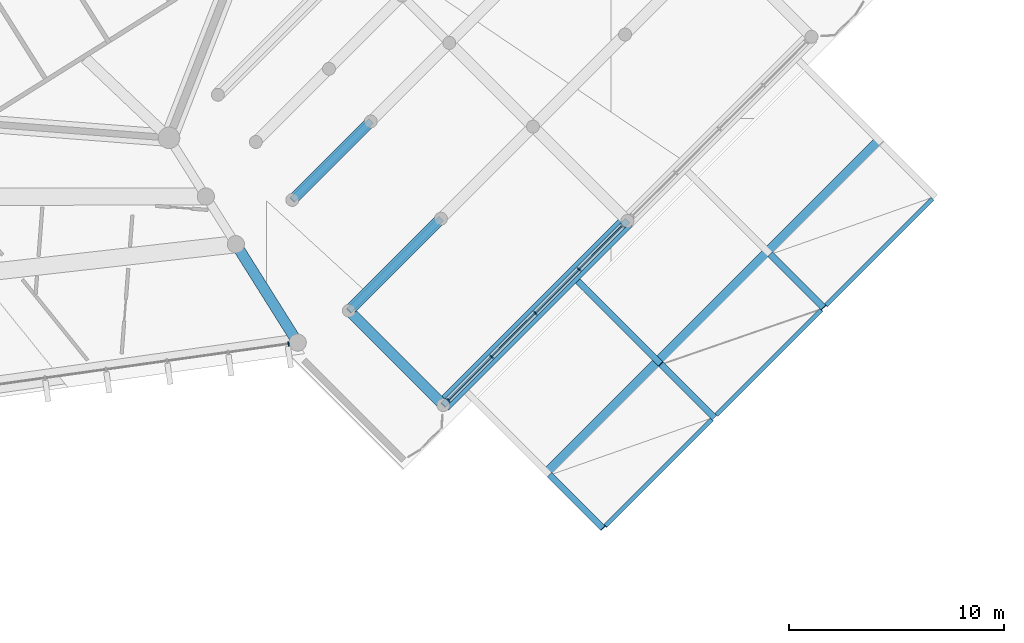
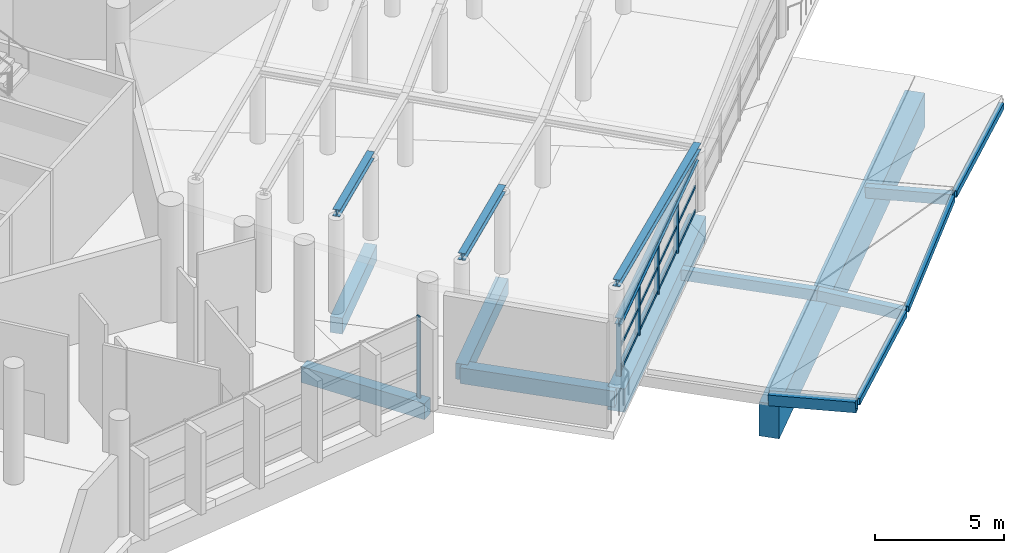
# One storey, part 50 of 271: 17 beams, 17 members, 2 elements without a shape of their own.
"""IFC4 building model written with IfcOpenShell, lengths in metres."""

from ifc_helpers import new_model, si_unit, direction, frame, origin, origin_2d, place, context, subcontext, project, spatial, rectangle, hollow_rectangle, i_section, extrude, material, layer, layer_set, material_profile, profile_set, type_object, element, aggregate, save


model = new_model("IFC4")

# Units and contexts
model_context = context("Model", 3, precision=1e-05, world=origin(), true_north=direction((0.0, 1.0)))
body_context = subcontext(model_context, "Body", "Model", "MODEL_VIEW")
ifc_project = project(units=[si_unit("LENGTHUNIT", "METRE"), si_unit("AREAUNIT", "SQUARE_METRE"), si_unit("VOLUMEUNIT", "CUBIC_METRE"), si_unit("PLANEANGLEUNIT", "RADIAN"), si_unit("MASSUNIT", "GRAM", prefix="KILO")], contexts=[model_context])

# Site, building, storey
site_placement = place(None, origin())
site = spatial("IfcSite", under=ifc_project, at=site_placement, CompositionType="ELEMENT")
building_placement = place(site_placement, origin())
building = spatial("IfcBuilding", under=site, at=building_placement, Name="Meseta Stadium", CompositionType="ELEMENT")
storey_placement = place(building_placement, frame((0.0, 0.0, 6.5)))
storey = spatial("IfcBuildingStorey", under=building, at=storey_placement, Name="L01", CompositionType="ELEMENT", Elevation=6.5)

# Beams
ifc_material_1 = material(Name="Steel S355", Category="steel")
ifc_material_profile_1 = material_profile(ifc_material_1, hollow_rectangle(XDim=0.199951171875, YDim=0.300048828125, WallThickness=0.01611328125, at=origin_2d()), Name="RHS 300x200x16")
ifc_profile_set_1 = profile_set([ifc_material_profile_1], Name="Steel S355")
beam_type_1 = type_object("IfcBeamType", Name="Canopy edge beam RHS 300x200x16", PredefinedType="BEAM", material=ifc_profile_set_1)
beam_1_placement = place(storey_placement, frame((95.7451171875, -114.94775390625, -0.220947265625), z_axis=(0.704714062045, 0.704748823257, -0.08189741677), x_axis=(-0.70712422016, 0.707089341783, 0.0)))
element("IfcBeam", 1, at=beam_1_placement, inside=storey, type_object=beam_type_1, Name="Canopy edge beam", PredefinedType="BEAM", context=body_context, shape_type="SweptSolid", body=[
    extrude(hollow_rectangle(XDim=0.199951171875, YDim=0.300048828125, WallThickness=0.01611328125, at=origin_2d()), origin(), (0.0, 0.0, 1.0), 7.0234375),
])
beam_2_placement = place(storey_placement, frame((100.90673828125, -109.785888671875, -0.78759765625), z_axis=(0.704662725635, 0.704662725635, 0.083071572759), x_axis=(-0.707106781187, 0.707106781187, 0.0)))
element("IfcBeam", 2, at=beam_2_placement, inside=storey, type_object=beam_type_1, Name="Canopy edge beam", PredefinedType="BEAM", context=body_context, shape_type="SweptSolid", body=[
    extrude(hollow_rectangle(XDim=0.199951171875, YDim=0.300048828125, WallThickness=0.01611328125, at=origin_2d()), origin(), (0.0, 0.0, 1.0), 6.924072265625),
])
beam_3_placement = place(storey_placement, frame((105.998046875, -104.694580078125, -0.220947265625), z_axis=(0.704748823257, 0.704714062045, -0.08189741677), x_axis=(-0.707089341783, 0.70712422016, 0.0)))
element("IfcBeam", 3, at=beam_3_placement, inside=storey, type_object=beam_type_1, Name="Canopy edge beam", PredefinedType="BEAM", context=body_context, shape_type="SweptSolid", body=[
    extrude(hollow_rectangle(XDim=0.199951171875, YDim=0.300048828125, WallThickness=0.01611328125, at=origin_2d()), origin(), (0.0, 0.0, 1.0), 7.0234375),
])
ifc_material_2 = material(Name="Steel S355", Category="steel")
ifc_material_profile_2 = material_profile(ifc_material_2, hollow_rectangle(XDim=0.300048828125, YDim=0.5, WallThickness=0.01611328125, at=origin_2d()), Name="RHS 500x300x16")
ifc_profile_set_2 = profile_set([ifc_material_profile_2], Name="Steel S355")
beam_type_2 = type_object("IfcBeamType", Name="Canopy girder RHS 500x300x16", PredefinedType="BEAM", material=ifc_profile_set_2)
beam_4_placement = place(storey_placement, frame((93.1640625, -112.5791015625, -0.60009765625), z_axis=(0.7047620729, -0.704692549168, 0.081968480216), x_axis=(0.707071901089, 0.707141659564, 0.0)))
element("IfcBeam", 4, at=beam_4_placement, inside=storey, type_object=beam_type_2, Name="Canopy girder cantilever", PredefinedType="BEAM", context=body_context, shape_type="SweptSolid", body=[
    extrude(hollow_rectangle(XDim=0.300048828125, YDim=0.5, WallThickness=0.01611328125, at=origin_2d()), origin(), (0.0, 0.0, 1.0), 3.51171875),
])
beam_5_placement = place(storey_placement, frame((94.47216796875, -103.563232421875, -0.60009765625), z_axis=(0.707106781187, -0.707106781187, 0.0), x_axis=(0.707106781187, 0.707106781187, 0.0)))
element("IfcBeam", 5, at=beam_5_placement, inside=storey, type_object=beam_type_2, Name="Canopy girder back-span", PredefinedType="BEAM", context=body_context, shape_type="SweptSolid", body=[
    extrude(hollow_rectangle(XDim=0.300048828125, YDim=0.5, WallThickness=0.01611328125, at=origin_2d()), origin(), (0.0, 0.0, 1.0), 5.449951171875),
])
beam_6_placement = place(storey_placement, frame((98.325927734375, -107.4169921875, -0.60009765625), z_axis=(0.704526774234, -0.704526774234, -0.085346638923), x_axis=(0.707106781187, 0.707106781187, 0.0)))
element("IfcBeam", 6, at=beam_6_placement, inside=storey, type_object=beam_type_2, Name="Canopy girder cantilever", PredefinedType="BEAM", context=body_context, shape_type="SweptSolid", body=[
    extrude(hollow_rectangle(XDim=0.300048828125, YDim=0.5, WallThickness=0.01611328125, at=origin_2d()), origin(), (0.0, 0.0, 1.0), 3.5126953125),
])
beam_7_placement = place(storey_placement, frame((103.4169921875, -102.325927734375, -0.60009765625), z_axis=(0.704731559435, -0.704731559435, 0.081895410577), x_axis=(0.707106781187, 0.707106781187, 0.0)))
element("IfcBeam", 7, at=beam_7_placement, inside=storey, type_object=beam_type_2, Name="Canopy girder cantilever", PredefinedType="BEAM", context=body_context, shape_type="SweptSolid", body=[
    extrude(hollow_rectangle(XDim=0.300048828125, YDim=0.5, WallThickness=0.01611328125, at=origin_2d()), origin(), (0.0, 0.0, 1.0), 3.51171875),
])
ifc_material_3 = material(Name="Concrete C40/50", Category="concrete")
ifc_material_profile_3 = material_profile(ifc_material_3, rectangle(XDim=0.800048828125, YDim=1.60009765625, at=origin_2d()), Name="RC 800x1600")
ifc_profile_set_3 = profile_set([ifc_material_profile_3], Name="Concrete C40/50")
beam_type_3 = type_object("IfcBeamType", Name="Entrance cross beam RC 800x1600", PredefinedType="BEAM", material=ifc_profile_set_3)
beam_8_placement = place(storey_placement, frame((93.1640625, -112.5791015625, -1.64990234375), z_axis=(0.707106781187, 0.707106781187, 0.0), x_axis=(-0.707106781187, 0.707106781187, 0.0)))
element("IfcBeam", 8, at=beam_8_placement, inside=storey, type_object=beam_type_3, Name="Entrance cross beam", PredefinedType="BEAM", context=body_context, shape_type="SweptSolid", body=[
    extrude(rectangle(XDim=0.800048828125, YDim=1.60009765625, at=origin_2d()), origin(), (0.0, 0.0, 1.0), 21.800048828125),
])
ifc_material_4 = material(Name="Steel S355", Category="steel")
ifc_material_profile_4 = material_profile(ifc_material_4, i_section(OverallWidth=0.300048828125, OverallDepth=0.300048828125, WebThickness=0.010986328125, FlangeThickness=0.01904296875, FilletRadius=0.027099609375, at=origin_2d()), Name="HEB 300")
ifc_profile_set_4 = profile_set([ifc_material_profile_4], Name="Steel S355")
beam_type_4 = type_object("IfcBeamType", Name="Gate roof beam HEB 300", PredefinedType="BEAM", material=ifc_profile_set_4)
beam_9_placement = place(storey_placement, frame((88.426513671875, -109.114013671875, 2.594482421875), z_axis=(0.707106781187, 0.707106781187, 0.0), x_axis=(-0.707106781187, 0.707106781187, 0.0)))
element("IfcBeam", 9, at=beam_9_placement, inside=storey, type_object=beam_type_4, Name="Gate 8 head beam", PredefinedType="BEAM", context=body_context, shape_type="SweptSolid", body=[
    extrude(i_section(OverallWidth=0.300048828125, OverallDepth=0.300048828125, WebThickness=0.010986328125, FlangeThickness=0.01904296875, FilletRadius=0.027099609375, at=origin_2d()), origin(), (0.0, 0.0, 1.0), 11.499755859375),
])
ifc_material_5 = material(Name="Steel S355", Category="steel")
ifc_material_profile_5 = material_profile(ifc_material_5, i_section(OverallWidth=0.300048828125, OverallDepth=0.300048828125, WebThickness=0.010986328125, FlangeThickness=0.01904296875, FilletRadius=0.027099609375, at=origin_2d()), Name="HEB 300")
ifc_profile_set_5 = profile_set([ifc_material_profile_5], Name="Steel S355")
beam_type_5 = type_object("IfcBeamType", Name="Gate roof beam HEB 300 rafter", PredefinedType="BEAM", material=ifc_profile_set_5)
beam_10_placement = place(storey_placement, frame((81.200927734375, -99.79345703125, 4.5830078125), z_axis=(0.700275376517, 0.700275376517, -0.138667927398), x_axis=(-0.707106781187, 0.707106781187, 0.0)))
element("IfcBeam", 10, at=beam_10_placement, inside=storey, type_object=beam_type_5, Name="Gate 8 roof rafter", PredefinedType="BEAM", context=body_context, shape_type="SweptSolid", body=[
    extrude(i_section(OverallWidth=0.300048828125, OverallDepth=0.300048828125, WebThickness=0.010986328125, FlangeThickness=0.01904296875, FilletRadius=0.027099609375, at=origin_2d()), origin(), (0.0, 0.0, 1.0), 5.209716796875),
])
beam_11_placement = place(storey_placement, frame((83.830078125, -104.942138671875, 4.722412109375), z_axis=(0.700298425415, 0.700258460887, -0.138636947884), x_axis=(-0.70708660379, 0.707126958008, 0.0)))
element("IfcBeam", 11, at=beam_11_placement, inside=storey, type_object=beam_type_5, Name="Gate 8 roof rafter", PredefinedType="BEAM", context=body_context, shape_type="SweptSolid", body=[
    extrude(i_section(OverallWidth=0.300048828125, OverallDepth=0.300048828125, WebThickness=0.010986328125, FlangeThickness=0.01904296875, FilletRadius=0.027099609375, at=origin_2d()), origin(), (0.0, 0.0, 1.0), 6.10888671875),
])
beam_12_placement = place(storey_placement, frame((88.21435546875, -109.326416015625, 4.598388671875), z_axis=(0.700268644396, 0.70028862638, -0.138635007985), x_axis=(-0.707116869525, 0.707096692704, 0.0)))
element("IfcBeam", 12, at=beam_12_placement, inside=storey, type_object=beam_type_5, Name="Gate 8 roof rafter", PredefinedType="BEAM", context=body_context, shape_type="SweptSolid", body=[
    extrude(i_section(OverallWidth=0.300048828125, OverallDepth=0.300048828125, WebThickness=0.010986328125, FlangeThickness=0.01904296875, FilletRadius=0.027099609375, at=origin_2d()), origin(), (0.0, 0.0, 1.0), 12.218017578125),
])
ifc_material_6 = material(Name="Concrete C40/50", Category="concrete")
ifc_material_profile_6 = material_profile(ifc_material_6, rectangle(XDim=0.5, YDim=0.75, at=origin_2d()), Name="RC 500x750")
ifc_profile_set_6 = profile_set([ifc_material_profile_6], Name="Concrete C40/50")
beam_type_6 = type_object("IfcBeamType", Name="RC beam 500x750", PredefinedType="BEAM", material=ifc_profile_set_6)
beam_13_placement = place(storey_placement, frame((78.580810546875, -101.851806640625, -0.72509765625), z_axis=(0.531992833871, -0.846748855747, 0.0), x_axis=(0.846748855747, 0.531992833871, 0.0)))
element("IfcBeam", 13, at=beam_13_placement, inside=storey, type_object=beam_type_6, Name="L01 radial beam frame 52 line Q to O", PredefinedType="BEAM", context=body_context, shape_type="SweptSolid", body=[
    extrude(rectangle(XDim=0.5, YDim=0.75, at=origin_2d()), origin(), (0.0, 0.0, 1.0), 5.400146484375),
])
beam_14_placement = place(storey_placement, frame((81.200927734375, -99.79345703125, -0.72509765625), z_axis=(0.707106781187, 0.707106781187, 0.0), x_axis=(-0.707106781187, 0.707106781187, 0.0)))
element("IfcBeam", 14, at=beam_14_placement, inside=storey, type_object=beam_type_6, Name="Gate 8 floor beam", PredefinedType="BEAM", context=body_context, shape_type="SweptSolid", body=[
    extrude(rectangle(XDim=0.5, YDim=0.75, at=origin_2d()), origin(), (0.0, 0.0, 1.0), 5.159423828125),
])
beam_15_placement = place(storey_placement, frame((83.830078125, -104.942138671875, -0.72509765625), z_axis=(0.707126958008, 0.70708660379, 0.0), x_axis=(-0.70708660379, 0.707126958008, 0.0)))
element("IfcBeam", 15, at=beam_15_placement, inside=storey, type_object=beam_type_6, Name="Gate 8 floor beam", PredefinedType="BEAM", context=body_context, shape_type="SweptSolid", body=[
    extrude(rectangle(XDim=0.5, YDim=0.75, at=origin_2d()), origin(), (0.0, 0.0, 1.0), 6.050048828125),
])
beam_16_placement = place(storey_placement, frame((83.830078125, -104.942138671875, -0.72509765625), z_axis=(0.707106781187, -0.707106781187, 0.0), x_axis=(0.707106781187, 0.707106781187, 0.0)))
element("IfcBeam", 16, at=beam_16_placement, inside=storey, type_object=beam_type_6, Name="Gate 8 floor beam", PredefinedType="BEAM", context=body_context, shape_type="SweptSolid", body=[
    extrude(rectangle(XDim=0.5, YDim=0.75, at=origin_2d()), origin(), (0.0, 0.0, 1.0), 6.2001953125),
])
ifc_material_7 = material(Name="Concrete C40/50", Category="concrete")
ifc_material_profile_7 = material_profile(ifc_material_7, rectangle(XDim=0.699951171875, YDim=1.10009765625, at=origin_2d()), Name="RC 700x1100")
ifc_profile_set_7 = profile_set([ifc_material_profile_7], Name="Concrete C40/50")
beam_type_7 = type_object("IfcBeamType", Name="RC beam 700x1100", PredefinedType="BEAM", material=ifc_profile_set_7)
beam_17_placement = place(storey_placement, frame((88.21435546875, -109.326416015625, -0.89990234375), z_axis=(0.707096692704, 0.707116869525, 0.0), x_axis=(-0.707116869525, 0.707096692704, 0.0)))
element("IfcBeam", 17, at=beam_17_placement, inside=storey, type_object=beam_type_7, Name="Gate 8 floor beam", PredefinedType="BEAM", context=body_context, shape_type="SweptSolid", body=[
    extrude(rectangle(XDim=0.699951171875, YDim=1.10009765625, at=origin_2d()), origin(), (0.0, 0.0, 1.0), 12.10009765625),
])

# Curtain wall, member
ifc_material_8 = material(Name="Aluminium", Category="aluminium")
ifc_layer_1 = layer(ifc_material_8, 0.199951171875)
ifc_layer_set_1 = layer_set([ifc_layer_1], Name="Ring shopfront curtain wall")
curtain_wall_type_1 = type_object("IfcCurtainWallType", Name="Ring shopfront curtain wall", PredefinedType="NOTDEFINED", material=ifc_layer_set_1)
curtain_wall_1_placement = place(storey_placement, origin())
curtain_wall_1 = element("IfcCurtainWall", 18, at=curtain_wall_1_placement, inside=storey, type_object=curtain_wall_type_1, Name="Ring glazing L01 F51", PredefinedType="NOTDEFINED")
ifc_material_9 = material(Name="Aluminium", Category="aluminium")
ifc_material_profile_8 = material_profile(ifc_material_9, rectangle(XDim=0.199951171875, YDim=0.06005859375, at=origin_2d()), Name="CW 200x60")
ifc_profile_set_8 = profile_set([ifc_material_profile_8], Name="Aluminium")
member_type_1 = type_object("IfcMemberType", Name="Ring CW mullion 60x200", PredefinedType="MULLION", material=ifc_profile_set_8)
member_1_placement = place(storey_placement, frame((81.02783203125, -106.483642578125, 0.0), z_axis=(0.0, 0.0, 1.0), x_axis=(-0.13864277713, 0.990342456098, 0.0)))
member_1 = element("IfcMember", 19, at=member_1_placement, type_object=member_type_1, Name="CWR1 mullion 6", PredefinedType="MULLION", context=body_context, shape_type="SweptSolid", body=[
    extrude(rectangle(XDim=0.199951171875, YDim=0.06005859375, at=origin_2d()), origin(), (0.0, 0.0, 1.0), 3.85009765625),
])
aggregate(curtain_wall_1, [member_1])

# Curtain wall, members
ifc_material_10 = material(Name="Aluminium", Category="aluminium")
ifc_layer_2 = layer(ifc_material_10, 0.199951171875)
ifc_layer_set_2 = layer_set([ifc_layer_2], Name="Gate hall curtain wall")
curtain_wall_type_2 = type_object("IfcCurtainWallType", Name="Gate hall curtain wall", PredefinedType="NOTDEFINED", material=ifc_layer_set_2)
curtain_wall_2_placement = place(storey_placement, origin())
curtain_wall_2 = element("IfcCurtainWall", 20, at=curtain_wall_2_placement, inside=storey, type_object=curtain_wall_type_2, Name="Gate 8 hall glazing", PredefinedType="NOTDEFINED")
member_2_placement = place(storey_placement, frame((94.525146484375, -103.015380859375, 0.0), z_axis=(0.0, 0.0, 1.0), x_axis=(0.707106781187, -0.707106781187, 0.0)))
member_2 = element("IfcMember", 21, at=member_2_placement, type_object=member_type_1, Name="CWG1 mullion 2", PredefinedType="MULLION", context=body_context, shape_type="SweptSolid", body=[
    extrude(rectangle(XDim=0.199951171875, YDim=0.06005859375, at=origin_2d()), origin(), (0.0, 0.0, 1.0), 2.444580078125),
])
member_3_placement = place(storey_placement, frame((92.4921875, -105.04833984375, 0.0), z_axis=(0.0, 0.0, 1.0), x_axis=(0.707106781187, -0.707106781187, 0.0)))
member_3 = element("IfcMember", 22, at=member_3_placement, type_object=member_type_1, Name="CWG1 mullion 3", PredefinedType="MULLION", context=body_context, shape_type="SweptSolid", body=[
    extrude(rectangle(XDim=0.199951171875, YDim=0.06005859375, at=origin_2d()), origin(), (0.0, 0.0, 1.0), 2.444580078125),
])
member_4_placement = place(storey_placement, frame((90.459228515625, -107.0810546875, 0.0), z_axis=(0.0, 0.0, 1.0), x_axis=(0.707106781187, -0.707106781187, 0.0)))
member_4 = element("IfcMember", 23, at=member_4_placement, type_object=member_type_1, Name="CWG1 mullion 4", PredefinedType="MULLION", context=body_context, shape_type="SweptSolid", body=[
    extrude(rectangle(XDim=0.199951171875, YDim=0.06005859375, at=origin_2d()), origin(), (0.0, 0.0, 1.0), 2.444580078125),
])
member_5_placement = place(storey_placement, frame((88.447509765625, -109.0927734375, 0.0), z_axis=(0.0, 0.0, 1.0), x_axis=(0.707106781187, -0.707106781187, 0.0)))
member_5 = element("IfcMember", 24, at=member_5_placement, type_object=member_type_1, Name="CWG1 mullion 5", PredefinedType="MULLION", context=body_context, shape_type="SweptSolid", body=[
    extrude(rectangle(XDim=0.199951171875, YDim=0.06005859375, at=origin_2d()), origin(), (0.0, 0.0, 1.0), 2.444580078125),
])
ifc_material_11 = material(Name="Aluminium", Category="aluminium")
ifc_material_profile_9 = material_profile(ifc_material_11, rectangle(XDim=0.06005859375, YDim=0.14990234375, at=origin_2d()), Name="CW 60x150")
ifc_profile_set_9 = profile_set([ifc_material_profile_9], Name="Aluminium")
member_type_2 = type_object("IfcMemberType", Name="Ring CW transom 60x150", PredefinedType="USERDEFINED", material=ifc_profile_set_9)
member_6_placement = place(storey_placement, frame((96.515625, -101.02490234375, 0.074951171875), z_axis=(-0.707106781187, -0.707106781187, 0.0), x_axis=(0.707106781187, -0.707106781187, 0.0)))
member_6 = element("IfcMember", 25, at=member_6_placement, type_object=member_type_2, Name="CWG1 transom 1.1", ObjectType="TRANSOM", PredefinedType="USERDEFINED", context=body_context, shape_type="SweptSolid", body=[
    extrude(rectangle(XDim=0.06005859375, YDim=0.14990234375, at=origin_2d()), origin(), (0.0, 0.0, 1.0), 2.784912109375),
])
member_7_placement = place(storey_placement, frame((96.515625, -101.02490234375, 1.22216796875), z_axis=(-0.707106781187, -0.707106781187, 0.0), x_axis=(0.707106781187, -0.707106781187, 0.0)))
member_7 = element("IfcMember", 26, at=member_7_placement, type_object=member_type_2, Name="CWG1 transom 1.2", ObjectType="TRANSOM", PredefinedType="USERDEFINED", context=body_context, shape_type="SweptSolid", body=[
    extrude(rectangle(XDim=0.06005859375, YDim=0.14990234375, at=origin_2d()), origin(), (0.0, 0.0, 1.0), 2.784912109375),
])
member_8_placement = place(storey_placement, frame((96.515625, -101.02490234375, 2.369384765625), z_axis=(-0.707106781187, -0.707106781187, 0.0), x_axis=(0.707106781187, -0.707106781187, 0.0)))
member_8 = element("IfcMember", 27, at=member_8_placement, type_object=member_type_2, Name="CWG1 transom 1.3", ObjectType="TRANSOM", PredefinedType="USERDEFINED", context=body_context, shape_type="SweptSolid", body=[
    extrude(rectangle(XDim=0.06005859375, YDim=0.14990234375, at=origin_2d()), origin(), (0.0, 0.0, 1.0), 2.784912109375),
])
member_9_placement = place(storey_placement, frame((94.50390625, -103.03662109375, 0.074951171875), z_axis=(-0.707106781187, -0.707106781187, 0.0), x_axis=(0.707106781187, -0.707106781187, 0.0)))
member_9 = element("IfcMember", 28, at=member_9_placement, type_object=member_type_2, Name="CWG1 transom 2.1", ObjectType="TRANSOM", PredefinedType="USERDEFINED", context=body_context, shape_type="SweptSolid", body=[
    extrude(rectangle(XDim=0.06005859375, YDim=0.14990234375, at=origin_2d()), origin(), (0.0, 0.0, 1.0), 2.81494140625),
])
member_10_placement = place(storey_placement, frame((94.50390625, -103.03662109375, 1.22216796875), z_axis=(-0.707106781187, -0.707106781187, 0.0), x_axis=(0.707106781187, -0.707106781187, 0.0)))
member_10 = element("IfcMember", 29, at=member_10_placement, type_object=member_type_2, Name="CWG1 transom 2.2", ObjectType="TRANSOM", PredefinedType="USERDEFINED", context=body_context, shape_type="SweptSolid", body=[
    extrude(rectangle(XDim=0.06005859375, YDim=0.14990234375, at=origin_2d()), origin(), (0.0, 0.0, 1.0), 2.81494140625),
])
member_11_placement = place(storey_placement, frame((94.50390625, -103.03662109375, 2.369384765625), z_axis=(-0.707106781187, -0.707106781187, 0.0), x_axis=(0.707106781187, -0.707106781187, 0.0)))
member_11 = element("IfcMember", 30, at=member_11_placement, type_object=member_type_2, Name="CWG1 transom 2.3", ObjectType="TRANSOM", PredefinedType="USERDEFINED", context=body_context, shape_type="SweptSolid", body=[
    extrude(rectangle(XDim=0.06005859375, YDim=0.14990234375, at=origin_2d()), origin(), (0.0, 0.0, 1.0), 2.81494140625),
])
member_12_placement = place(storey_placement, frame((92.470947265625, -105.069580078125, 0.074951171875), z_axis=(-0.707106781187, -0.707106781187, 0.0), x_axis=(0.707106781187, -0.707106781187, 0.0)))
member_12 = element("IfcMember", 31, at=member_12_placement, type_object=member_type_2, Name="CWG1 transom 3.1", ObjectType="TRANSOM", PredefinedType="USERDEFINED", context=body_context, shape_type="SweptSolid", body=[
    extrude(rectangle(XDim=0.06005859375, YDim=0.14990234375, at=origin_2d()), origin(), (0.0, 0.0, 1.0), 2.81494140625),
])
member_13_placement = place(storey_placement, frame((92.470947265625, -105.069580078125, 1.22216796875), z_axis=(-0.707106781187, -0.707106781187, 0.0), x_axis=(0.707106781187, -0.707106781187, 0.0)))
member_13 = element("IfcMember", 32, at=member_13_placement, type_object=member_type_2, Name="CWG1 transom 3.2", ObjectType="TRANSOM", PredefinedType="USERDEFINED", context=body_context, shape_type="SweptSolid", body=[
    extrude(rectangle(XDim=0.06005859375, YDim=0.14990234375, at=origin_2d()), origin(), (0.0, 0.0, 1.0), 2.81494140625),
])
member_14_placement = place(storey_placement, frame((92.470947265625, -105.069580078125, 2.369384765625), z_axis=(-0.707106781187, -0.707106781187, 0.0), x_axis=(0.707106781187, -0.707106781187, 0.0)))
member_14 = element("IfcMember", 33, at=member_14_placement, type_object=member_type_2, Name="CWG1 transom 3.3", ObjectType="TRANSOM", PredefinedType="USERDEFINED", context=body_context, shape_type="SweptSolid", body=[
    extrude(rectangle(XDim=0.06005859375, YDim=0.14990234375, at=origin_2d()), origin(), (0.0, 0.0, 1.0), 2.81494140625),
])
member_15_placement = place(storey_placement, frame((90.438232421875, -107.102294921875, 0.074951171875), z_axis=(-0.707106781187, -0.707106781187, 0.0), x_axis=(0.707106781187, -0.707106781187, 0.0)))
member_15 = element("IfcMember", 34, at=member_15_placement, type_object=member_type_2, Name="CWG1 transom 4.1", ObjectType="TRANSOM", PredefinedType="USERDEFINED", context=body_context, shape_type="SweptSolid", body=[
    extrude(rectangle(XDim=0.06005859375, YDim=0.14990234375, at=origin_2d()), origin(), (0.0, 0.0, 1.0), 2.78515625),
])
member_16_placement = place(storey_placement, frame((90.438232421875, -107.102294921875, 1.22216796875), z_axis=(-0.707106781187, -0.707106781187, 0.0), x_axis=(0.707106781187, -0.707106781187, 0.0)))
member_16 = element("IfcMember", 35, at=member_16_placement, type_object=member_type_2, Name="CWG1 transom 4.2", ObjectType="TRANSOM", PredefinedType="USERDEFINED", context=body_context, shape_type="SweptSolid", body=[
    extrude(rectangle(XDim=0.06005859375, YDim=0.14990234375, at=origin_2d()), origin(), (0.0, 0.0, 1.0), 2.78515625),
])
member_17_placement = place(storey_placement, frame((90.438232421875, -107.102294921875, 2.369384765625), z_axis=(-0.707106781187, -0.707106781187, 0.0), x_axis=(0.707106781187, -0.707106781187, 0.0)))
member_17 = element("IfcMember", 36, at=member_17_placement, type_object=member_type_2, Name="CWG1 transom 4.3", ObjectType="TRANSOM", PredefinedType="USERDEFINED", context=body_context, shape_type="SweptSolid", body=[
    extrude(rectangle(XDim=0.06005859375, YDim=0.14990234375, at=origin_2d()), origin(), (0.0, 0.0, 1.0), 2.78515625),
])
aggregate(curtain_wall_2, [member_2, member_3, member_4, member_5, member_6, member_7, member_8, member_9, member_10, member_11, member_12, member_13, member_14, member_15, member_16, member_17])

save(model, "model.ifc")
